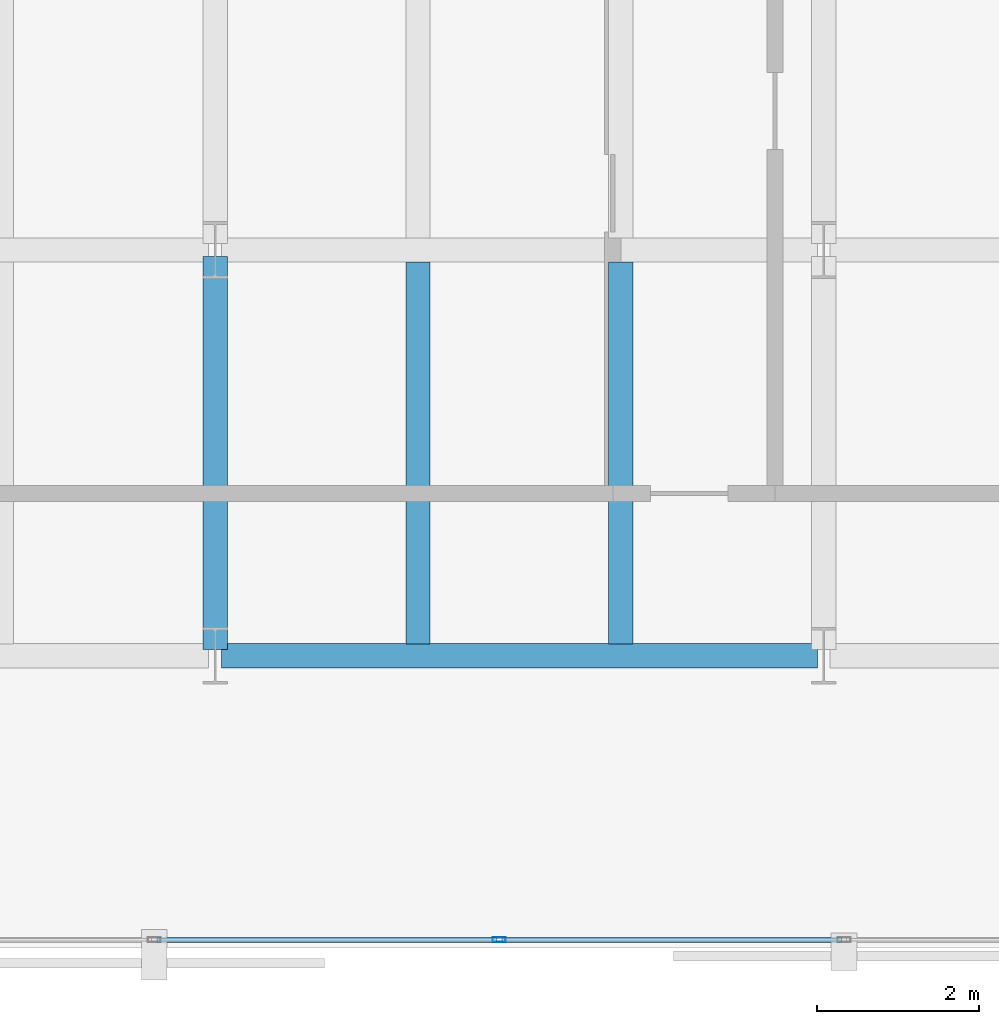
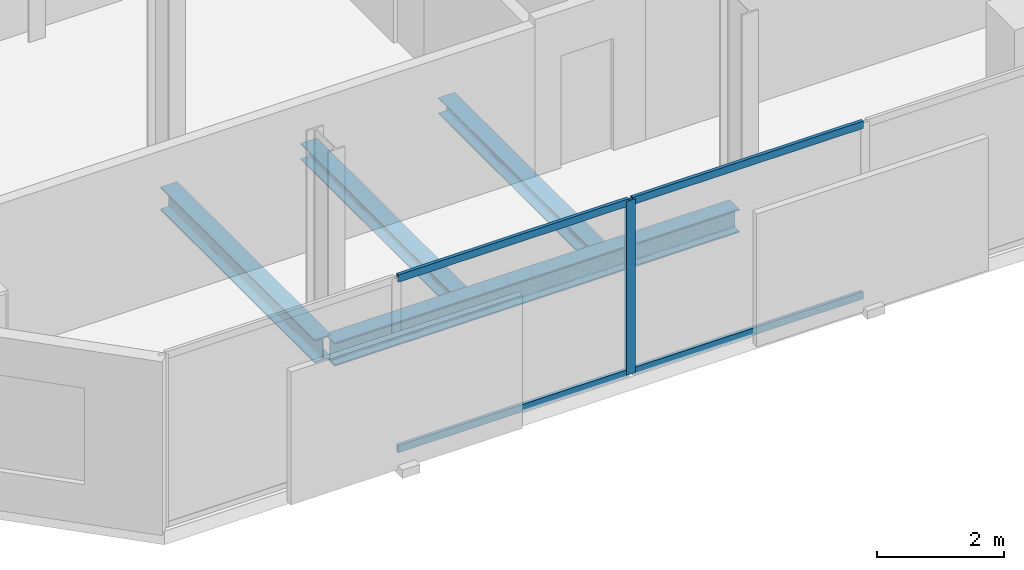
# One storey, part 4 of 33: 5 members, 4 beams, 1 element without a shape of its own.
"""IFC4 building model written with IfcOpenShell, lengths in metres."""

from ifc_helpers import new_model, si_unit, direction, frame, origin, origin_2d, place, context, subcontext, project, spatial, hollow_rectangle, i_section, extrude, material, layer, layer_set, material_profile, profile_set, type_object, element, aggregate, save


model = new_model("IFC4")

# Units and contexts
model_context = context("Model", 3, precision=1e-05, world=origin(), true_north=direction((0.0, 1.0)))
body_context = subcontext(model_context, "Body", "Model", "MODEL_VIEW")
ifc_project = project(units=[si_unit("LENGTHUNIT", "METRE"), si_unit("AREAUNIT", "SQUARE_METRE"), si_unit("VOLUMEUNIT", "CUBIC_METRE"), si_unit("PLANEANGLEUNIT", "RADIAN"), si_unit("MASSUNIT", "GRAM", prefix="KILO")], contexts=[model_context])

# Site, building, storey
site_placement = place(None, origin())
site = spatial("IfcSite", under=ifc_project, at=site_placement, CompositionType="ELEMENT")
building_placement = place(site_placement, origin())
building = spatial("IfcBuilding", under=site, at=building_placement, Name="Catumbela Crestline Tower", CompositionType="ELEMENT")
storey_placement = place(building_placement, frame((0.0, 0.0, 108.0)))
storey = spatial("IfcBuildingStorey", under=building, at=storey_placement, Name="L27", CompositionType="ELEMENT", Elevation=108.0)

# Beams
ifc_material_1 = material(Name="Structural steel S355J2", Category="steel")
ifc_material_profile_1 = material_profile(ifc_material_1, i_section(OverallWidth=0.3, OverallDepth=0.45, WebThickness=0.014, FlangeThickness=0.026, FilletRadius=0.027, at=origin_2d()), Name="HEB 450")
ifc_profile_set_1 = profile_set([ifc_material_profile_1], Name="Structural steel S355J2")
beam_type_1 = type_object("IfcBeamType", Name="BG-HEB450", PredefinedType="BEAM", material=ifc_profile_set_1)
beam_1_placement = place(storey_placement, frame((8.58, 8.6, -0.485), z_axis=(1.0, 0.0, 0.0), x_axis=(0.0, 1.0, 0.0)))
element("IfcBeam", 1, at=beam_1_placement, inside=storey, type_object=beam_type_1, Name="L27 Beam BM-L27-WEW44", PredefinedType="BEAM", context=body_context, shape_type="SweptSolid", body=[
    extrude(i_section(OverallWidth=0.3, OverallDepth=0.45, WebThickness=0.014, FlangeThickness=0.026, FilletRadius=0.027, at=origin_2d()), origin(), (0.0, 0.0, 1.0), 7.34),
])
beam_2_placement = place(storey_placement, frame((8.5, 8.68, -0.485), z_axis=(0.0, 1.0, 0.0), x_axis=(-1.0, 0.0, 0.0)))
element("IfcBeam", 2, at=beam_2_placement, inside=storey, type_object=beam_type_1, Name="L27 Beam BM-L27-WNS55", PredefinedType="BEAM", context=body_context, shape_type="SweptSolid", body=[
    extrude(i_section(OverallWidth=0.3, OverallDepth=0.45, WebThickness=0.014, FlangeThickness=0.026, FilletRadius=0.027, at=origin_2d()), origin(), (0.0, 0.0, 1.0), 4.84),
])
ifc_material_profile_2 = material_profile(ifc_material_1, i_section(OverallWidth=0.3, OverallDepth=0.31, WebThickness=0.009, FlangeThickness=0.0155, FilletRadius=0.027, at=origin_2d()), Name="HEA 320")
ifc_profile_set_2 = profile_set([ifc_material_profile_2], Name="Structural steel S355J2")
beam_type_2 = type_object("IfcBeamType", Name="BJ-HEA320", PredefinedType="JOIST", material=ifc_profile_set_2)
for number, where, z_axis, x_axis, name in (
    (3, (11.0, 8.747, -0.415), (0.0, 1.0, 0.0), (-1.0, 0.0, 0.0), "L27 Joist JS-L27-WG65"),
    (4, (13.5, 8.747, -0.415), (0.0, 1.0, 0.0), (-1.0, 0.0, 0.0), "L27 Joist JS-L27-WG66"),
):
    element("IfcBeam", number, at=place(storey_placement, frame(where, z_axis=z_axis, x_axis=x_axis)), inside=storey, type_object=beam_type_2, Name=name, PredefinedType="JOIST", context=body_context, shape_type="SweptSolid", body=[
        extrude(i_section(OverallWidth=0.3, OverallDepth=0.31, WebThickness=0.009, FlangeThickness=0.0155, FilletRadius=0.027, at=origin_2d()), origin(), (0.0, 0.0, 1.0), 4.706),
    ])

# Curtain wall, members
ifc_material_2 = material(Name="Aluminium alloy AW-6060-T66", Category="aluminium")
ifc_layer = layer(ifc_material_2, 0.18, Name="Aluminium alloy AW-6060-T66")
ifc_layer_set = layer_set([ifc_layer], Name="Aluminium alloy AW-6060-T66")
curtain_wall_type = type_object("IfcCurtainWallType", Name="CWU-Z2", PredefinedType="USERDEFINED", material=ifc_layer_set)
curtain_wall_placement = place(storey_placement, origin())
curtain_wall = element("IfcCurtainWall", 5, at=curtain_wall_placement, inside=storey, type_object=curtain_wall_type, Name="L27 Unitised Curtain Wall CW-L27-E0S1", ObjectType="UNITISED", PredefinedType="USERDEFINED")
ifc_material_profile_3 = material_profile(ifc_material_2, hollow_rectangle(XDim=0.06, YDim=0.16, WallThickness=0.004, at=origin_2d()), Name="ALU 160x60x4")
ifc_profile_set_3 = profile_set([ifc_material_profile_3], Name="Aluminium alloy AW-6060-T66")
member_type_1 = type_object("IfcMemberType", Name="MUL-160X60", PredefinedType="MULLION", material=ifc_profile_set_3)
member_1_placement = place(storey_placement, frame((12.0, 5.1, 0.0), z_axis=(0.0, 0.0, 1.0), x_axis=(0.0, 1.0, 0.0)))
member_1 = element("IfcMember", 6, at=member_1_placement, type_object=member_type_1, Name="CWU-Z2 mullion 3", PredefinedType="MULLION", context=body_context, shape_type="SweptSolid", body=[
    extrude(hollow_rectangle(XDim=0.06, YDim=0.16, WallThickness=0.004, at=origin_2d()), origin(), (0.0, 0.0, 1.0), 3.33),
])
ifc_material_profile_4 = material_profile(ifc_material_2, hollow_rectangle(XDim=0.06, YDim=0.14, WallThickness=0.004, at=origin_2d()), Name="ALU 140x60x4")
ifc_profile_set_4 = profile_set([ifc_material_profile_4], Name="Aluminium alloy AW-6060-T66")
member_type_2 = type_object("IfcMemberType", Name="TRN-140X60", PredefinedType="USERDEFINED", material=ifc_profile_set_4)
member_2_placement = place(storey_placement, frame((7.7825, 5.1, 0.03), z_axis=(1.0, 0.0, 0.0), x_axis=(0.0, 1.0, 0.0)))
member_2 = element("IfcMember", 7, at=member_2_placement, type_object=member_type_2, Name="CWU-Z2 transom 2.1", ObjectType="TRANSOM", PredefinedType="USERDEFINED", context=body_context, shape_type="SweptSolid", body=[
    extrude(hollow_rectangle(XDim=0.06, YDim=0.14, WallThickness=0.004, at=origin_2d()), origin(), (0.0, 0.0, 1.0), 4.185),
])
member_3_placement = place(storey_placement, frame((7.7825, 5.1, 3.3), z_axis=(1.0, 0.0, 0.0), x_axis=(0.0, 1.0, 0.0)))
member_3 = element("IfcMember", 8, at=member_3_placement, type_object=member_type_2, Name="CWU-Z2 transom 2.2", ObjectType="TRANSOM", PredefinedType="USERDEFINED", context=body_context, shape_type="SweptSolid", body=[
    extrude(hollow_rectangle(XDim=0.06, YDim=0.14, WallThickness=0.004, at=origin_2d()), origin(), (0.0, 0.0, 1.0), 4.185),
])
member_4_placement = place(storey_placement, frame((12.0325, 5.1, 0.03), z_axis=(1.0, 0.0, 0.0), x_axis=(0.0, 1.0, 0.0)))
member_4 = element("IfcMember", 9, at=member_4_placement, type_object=member_type_2, Name="CWU-Z2 transom 3.1", ObjectType="TRANSOM", PredefinedType="USERDEFINED", context=body_context, shape_type="SweptSolid", body=[
    extrude(hollow_rectangle(XDim=0.06, YDim=0.14, WallThickness=0.004, at=origin_2d()), origin(), (0.0, 0.0, 1.0), 4.185),
])
member_5_placement = place(storey_placement, frame((12.0325, 5.1, 3.3), z_axis=(1.0, 0.0, 0.0), x_axis=(0.0, 1.0, 0.0)))
member_5 = element("IfcMember", 10, at=member_5_placement, type_object=member_type_2, Name="CWU-Z2 transom 3.2", ObjectType="TRANSOM", PredefinedType="USERDEFINED", context=body_context, shape_type="SweptSolid", body=[
    extrude(hollow_rectangle(XDim=0.06, YDim=0.14, WallThickness=0.004, at=origin_2d()), origin(), (0.0, 0.0, 1.0), 4.185),
])
aggregate(curtain_wall, [member_1, member_2, member_3, member_4, member_5])

save(model, "model.ifc")
